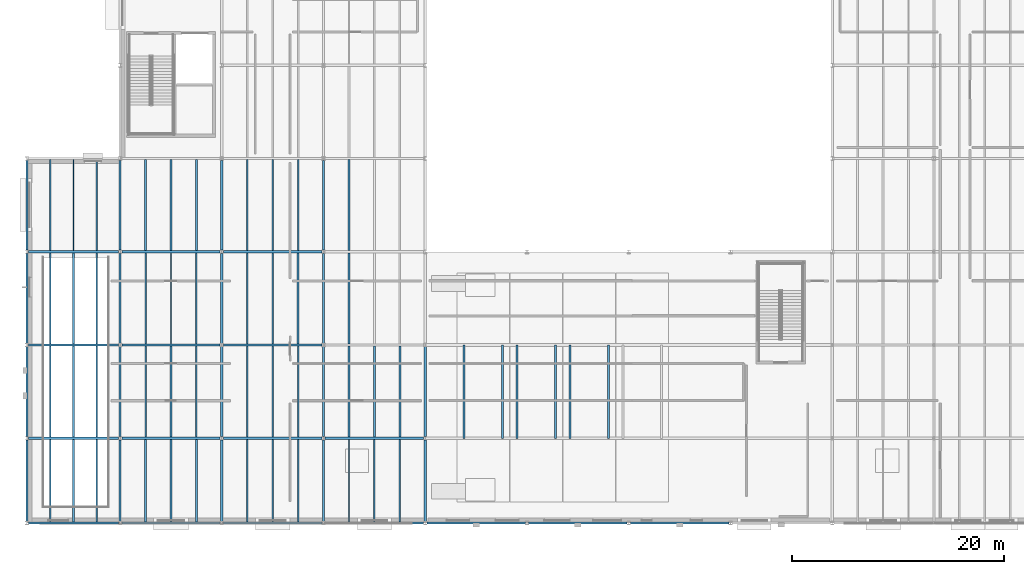
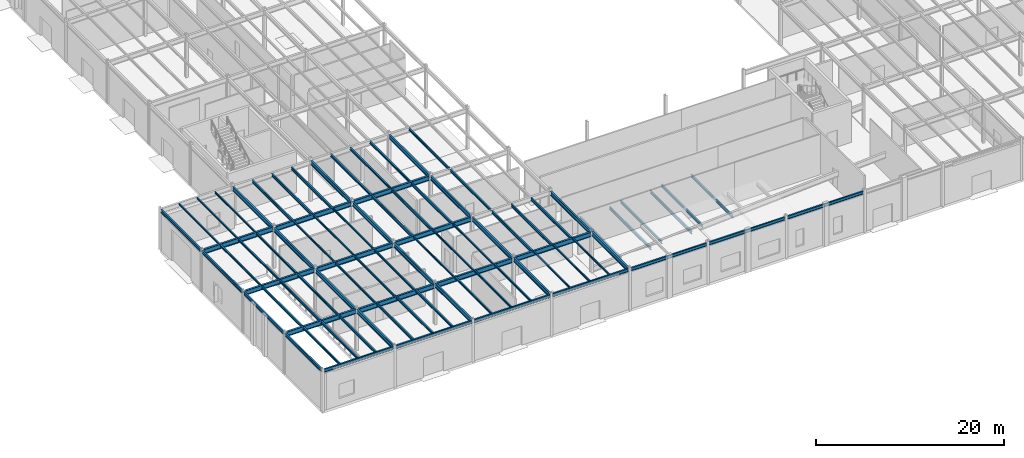
# One storey, part 18 of 70: 85 beams.
"""IFC4 building model written with IfcOpenShell, lengths in metres."""

from ifc_helpers import new_model, si_unit, direction, frame, origin, origin_2d, place, context, subcontext, project, spatial, i_section, extrude, material, material_profile, profile_set, type_object, element, save


model = new_model("IFC4")

# Units and contexts
model_context = context("Model", 3, precision=1e-05, world=origin(), true_north=direction((0.0, 1.0)))
body_context = subcontext(model_context, "Body", "Model", "MODEL_VIEW")
ifc_project = project(units=[si_unit("LENGTHUNIT", "METRE"), si_unit("AREAUNIT", "SQUARE_METRE"), si_unit("VOLUMEUNIT", "CUBIC_METRE"), si_unit("PLANEANGLEUNIT", "RADIAN"), si_unit("MASSUNIT", "GRAM", prefix="KILO")], contexts=[model_context])

# Site, building, storey
site_placement = place(None, origin())
site = spatial("IfcSite", under=ifc_project, at=site_placement, CompositionType="ELEMENT")
building_placement = place(site_placement, origin())
building = spatial("IfcBuilding", under=site, at=building_placement, Name="Sarnbrook Museum", CompositionType="ELEMENT")
storey_placement = place(building_placement, origin())
storey = spatial("IfcBuildingStorey", under=building, at=storey_placement, Name="L00", CompositionType="ELEMENT", Elevation=0.0)

# Beams
ifc_material = material(Name="Structural Steel Grade 300PLUS (AS/NZS 3679.1, fy = 280 MPa for 17 < t <= 40 mm, 300 MPa for t <= 17 mm)", Category="steel")
ifc_material_profile_1 = material_profile(ifc_material, i_section(OverallWidth=0.208984375, OverallDepth=0.532958984375, WebThickness=0.01025390625, FlangeThickness=0.015625, FilletRadius=0.013916015625, at=origin_2d()), Name="530UB92.4")
ifc_profile_set_1 = profile_set([ifc_material_profile_1], Name="Structural Steel Grade 300PLUS (AS/NZS 3679.1, fy = 280 MPa for 17 < t <= 40 mm, 300 MPa for t <= 17 mm)")
beam_type_1 = type_object("IfcBeamType", Name="BM-UB530", PredefinedType="BEAM", material=ifc_profile_set_1)
beam_1_placement = place(storey_placement, frame((13.60009765625, 4.95751953125, 5.12353515625), z_axis=(0.0, 1.0, 0.0), x_axis=(-1.0, 0.0, 0.0)))
element("IfcBeam", 1, at=beam_1_placement, inside=storey, type_object=beam_type_1, Name="Girder 2:A-B L00", PredefinedType="BEAM", context=body_context, shape_type="SweptSolid", body=[
    extrude(i_section(OverallWidth=0.208984375, OverallDepth=0.532958984375, WebThickness=0.01025390625, FlangeThickness=0.015625, FilletRadius=0.013916015625, at=origin_2d()), origin(), (0.0, 0.0, 1.0), 7.68505859375),
])
for number, where, z_axis, x_axis, name in (
    (2, (13.60009765625, 12.95751953125, 5.013427734375), (0.0, 1.0, 0.0), (-1.0, 0.0, 0.0), "Girder 2:B-C L00"),
    (3, (13.60009765625, 21.757568359375, 5.013427734375), (0.0, 1.0, 0.0), (-1.0, 0.0, 0.0), "Girder 2:C-D L00"),
):
    element("IfcBeam", number, at=place(storey_placement, frame(where, z_axis=z_axis, x_axis=x_axis)), inside=storey, type_object=beam_type_1, Name=name, PredefinedType="BEAM", context=body_context, shape_type="SweptSolid", body=[
        extrude(i_section(OverallWidth=0.208984375, OverallDepth=0.532958984375, WebThickness=0.01025390625, FlangeThickness=0.015625, FilletRadius=0.013916015625, at=origin_2d()), origin(), (0.0, 0.0, 1.0), 8.48486328125),
    ])
beam_2_placement = place(storey_placement, frame((13.60009765625, 30.5576171875, 5.013427734375), z_axis=(0.0, 1.0, 0.0), x_axis=(-1.0, 0.0, 0.0)))
element("IfcBeam", 4, at=beam_2_placement, inside=storey, type_object=beam_type_1, Name="Girder 2:D-E L00", PredefinedType="BEAM", context=body_context, shape_type="SweptSolid", body=[
    extrude(i_section(OverallWidth=0.208984375, OverallDepth=0.532958984375, WebThickness=0.01025390625, FlangeThickness=0.015625, FilletRadius=0.013916015625, at=origin_2d()), origin(), (0.0, 0.0, 1.0), 8.47900390625),
])
beam_3_placement = place(storey_placement, frame((23.199951171875, 4.95751953125, 5.12353515625), z_axis=(0.0, 1.0, 0.0), x_axis=(-1.0, 0.0, 0.0)))
element("IfcBeam", 5, at=beam_3_placement, inside=storey, type_object=beam_type_1, Name="Girder 3:A-B L00", PredefinedType="BEAM", context=body_context, shape_type="SweptSolid", body=[
    extrude(i_section(OverallWidth=0.208984375, OverallDepth=0.532958984375, WebThickness=0.01025390625, FlangeThickness=0.015625, FilletRadius=0.013916015625, at=origin_2d()), origin(), (0.0, 0.0, 1.0), 7.68505859375),
])
for number, where, z_axis, x_axis, name in (
    (6, (23.199951171875, 12.95751953125, 5.013427734375), (0.0, 1.0, 0.0), (-1.0, 0.0, 0.0), "Girder 3:B-C L00"),
    (7, (23.199951171875, 21.757568359375, 5.013427734375), (0.0, 1.0, 0.0), (-1.0, 0.0, 0.0), "Girder 3:C-D L00"),
):
    element("IfcBeam", number, at=place(storey_placement, frame(where, z_axis=z_axis, x_axis=x_axis)), inside=storey, type_object=beam_type_1, Name=name, PredefinedType="BEAM", context=body_context, shape_type="SweptSolid", body=[
        extrude(i_section(OverallWidth=0.208984375, OverallDepth=0.532958984375, WebThickness=0.01025390625, FlangeThickness=0.015625, FilletRadius=0.013916015625, at=origin_2d()), origin(), (0.0, 0.0, 1.0), 8.48486328125),
    ])
beam_4_placement = place(storey_placement, frame((23.199951171875, 30.5576171875, 5.013427734375), z_axis=(0.0, 1.0, 0.0), x_axis=(-1.0, 0.0, 0.0)))
element("IfcBeam", 8, at=beam_4_placement, inside=storey, type_object=beam_type_1, Name="Girder 3:D-E L00", PredefinedType="BEAM", context=body_context, shape_type="SweptSolid", body=[
    extrude(i_section(OverallWidth=0.208984375, OverallDepth=0.532958984375, WebThickness=0.01025390625, FlangeThickness=0.015625, FilletRadius=0.013916015625, at=origin_2d()), origin(), (0.0, 0.0, 1.0), 8.47900390625),
])
beam_5_placement = place(storey_placement, frame((32.800048828125, 4.95751953125, 5.12353515625), z_axis=(0.0, 1.0, 0.0), x_axis=(-1.0, 0.0, 0.0)))
element("IfcBeam", 9, at=beam_5_placement, inside=storey, type_object=beam_type_1, Name="Girder 4:A-B L00", PredefinedType="BEAM", context=body_context, shape_type="SweptSolid", body=[
    extrude(i_section(OverallWidth=0.208984375, OverallDepth=0.532958984375, WebThickness=0.01025390625, FlangeThickness=0.015625, FilletRadius=0.013916015625, at=origin_2d()), origin(), (0.0, 0.0, 1.0), 7.68505859375),
])
for number, where, z_axis, x_axis, name in (
    (10, (32.800048828125, 12.95751953125, 5.013427734375), (0.0, 1.0, 0.0), (-1.0, 0.0, 0.0), "Girder 4:B-C L00"),
    (11, (32.800048828125, 21.757568359375, 5.013427734375), (0.0, 1.0, 0.0), (-1.0, 0.0, 0.0), "Girder 4:C-D L00"),
):
    element("IfcBeam", number, at=place(storey_placement, frame(where, z_axis=z_axis, x_axis=x_axis)), inside=storey, type_object=beam_type_1, Name=name, PredefinedType="BEAM", context=body_context, shape_type="SweptSolid", body=[
        extrude(i_section(OverallWidth=0.208984375, OverallDepth=0.532958984375, WebThickness=0.01025390625, FlangeThickness=0.015625, FilletRadius=0.013916015625, at=origin_2d()), origin(), (0.0, 0.0, 1.0), 8.48486328125),
    ])
beam_6_placement = place(storey_placement, frame((32.800048828125, 30.5576171875, 5.013427734375), z_axis=(0.0, 1.0, 0.0), x_axis=(-1.0, 0.0, 0.0)))
element("IfcBeam", 12, at=beam_6_placement, inside=storey, type_object=beam_type_1, Name="Girder 4:D-E L00", PredefinedType="BEAM", context=body_context, shape_type="SweptSolid", body=[
    extrude(i_section(OverallWidth=0.208984375, OverallDepth=0.532958984375, WebThickness=0.01025390625, FlangeThickness=0.015625, FilletRadius=0.013916015625, at=origin_2d()), origin(), (0.0, 0.0, 1.0), 8.47900390625),
])
beam_7_placement = place(storey_placement, frame((42.39990234375, 4.96337890625, 5.08349609375), z_axis=(0.0, 1.0, 0.0), x_axis=(-1.0, 0.0, 0.0)))
element("IfcBeam", 13, at=beam_7_placement, inside=storey, type_object=beam_type_1, Name="Girder 5:A-B L00", PredefinedType="BEAM", context=body_context, shape_type="SweptSolid", body=[
    extrude(i_section(OverallWidth=0.208984375, OverallDepth=0.532958984375, WebThickness=0.01025390625, FlangeThickness=0.015625, FilletRadius=0.013916015625, at=origin_2d()), origin(), (0.0, 0.0, 1.0), 7.67919921875),
])
beam_8_placement = place(storey_placement, frame((42.39990234375, 12.95751953125, 5.013427734375), z_axis=(0.0, 1.0, 0.0), x_axis=(-1.0, 0.0, 0.0)))
element("IfcBeam", 14, at=beam_8_placement, inside=storey, type_object=beam_type_1, Name="Girder 5:B-C L00", PredefinedType="BEAM", context=body_context, shape_type="SweptSolid", body=[
    extrude(i_section(OverallWidth=0.208984375, OverallDepth=0.532958984375, WebThickness=0.01025390625, FlangeThickness=0.015625, FilletRadius=0.013916015625, at=origin_2d()), origin(), (0.0, 0.0, 1.0), 8.48486328125),
])
ifc_material_profile_2 = material_profile(ifc_material, i_section(OverallWidth=0.22900390625, OverallDepth=0.612060546875, WebThickness=0.011962890625, FlangeThickness=0.01953125, FilletRadius=0.013916015625, at=origin_2d()), Name="610UB125")
ifc_profile_set_2 = profile_set([ifc_material_profile_2], Name="Structural Steel Grade 300PLUS (AS/NZS 3679.1, fy = 280 MPa for 17 < t <= 40 mm, 300 MPa for t <= 17 mm)")
beam_type_2 = type_object("IfcBeamType", Name="BM-UB610H", PredefinedType="BEAM", material=ifc_profile_set_2)
beam_9_placement = place(storey_placement, frame((4.95361328125, 12.800048828125, 5.083984375), z_axis=(1.0, 0.0, 0.0), x_axis=(0.0, 1.0, 0.0)))
element("IfcBeam", 15, at=beam_9_placement, inside=storey, type_object=beam_type_2, Name="Girder B:1-2 L00", PredefinedType="BEAM", context=body_context, shape_type="SweptSolid", body=[
    extrude(i_section(OverallWidth=0.22900390625, OverallDepth=0.612060546875, WebThickness=0.011962890625, FlangeThickness=0.01953125, FilletRadius=0.013916015625, at=origin_2d()), origin(), (0.0, 0.0, 1.0), 8.492919921875),
])
for number, where, z_axis, x_axis, name in (
    (16, (13.75341796875, 12.800048828125, 4.97412109375), (1.0, 0.0, 0.0), (0.0, 1.0, 0.0), "Girder B:2-3 L00"),
    (17, (23.353515625, 12.800048828125, 4.97412109375), (1.0, 0.0, 0.0), (0.0, 1.0, 0.0), "Girder B:3-4 L00"),
    (18, (32.95361328125, 12.800048828125, 4.97412109375), (1.0, 0.0, 0.0), (0.0, 1.0, 0.0), "Girder B:4-5 L00"),
):
    element("IfcBeam", number, at=place(storey_placement, frame(where, z_axis=z_axis, x_axis=x_axis)), inside=storey, type_object=beam_type_2, Name=name, PredefinedType="BEAM", context=body_context, shape_type="SweptSolid", body=[
        extrude(i_section(OverallWidth=0.22900390625, OverallDepth=0.612060546875, WebThickness=0.011962890625, FlangeThickness=0.01953125, FilletRadius=0.013916015625, at=origin_2d()), origin(), (0.0, 0.0, 1.0), 9.29296875),
    ])
beam_10_placement = place(storey_placement, frame((4.95361328125, 21.60009765625, 5.083984375), z_axis=(1.0, 0.0, 0.0), x_axis=(0.0, 1.0, 0.0)))
element("IfcBeam", 19, at=beam_10_placement, inside=storey, type_object=beam_type_2, Name="Girder C:1-2 L00", PredefinedType="BEAM", context=body_context, shape_type="SweptSolid", body=[
    extrude(i_section(OverallWidth=0.22900390625, OverallDepth=0.612060546875, WebThickness=0.011962890625, FlangeThickness=0.01953125, FilletRadius=0.013916015625, at=origin_2d()), origin(), (0.0, 0.0, 1.0), 8.492919921875),
])
for number, where, z_axis, x_axis, name in (
    (20, (13.75341796875, 21.60009765625, 4.97412109375), (1.0, 0.0, 0.0), (0.0, 1.0, 0.0), "Girder C:2-3 L00"),
    (21, (23.353515625, 21.60009765625, 4.97412109375), (1.0, 0.0, 0.0), (0.0, 1.0, 0.0), "Girder C:3-4 L00"),
):
    element("IfcBeam", number, at=place(storey_placement, frame(where, z_axis=z_axis, x_axis=x_axis)), inside=storey, type_object=beam_type_2, Name=name, PredefinedType="BEAM", context=body_context, shape_type="SweptSolid", body=[
        extrude(i_section(OverallWidth=0.22900390625, OverallDepth=0.612060546875, WebThickness=0.011962890625, FlangeThickness=0.01953125, FilletRadius=0.013916015625, at=origin_2d()), origin(), (0.0, 0.0, 1.0), 9.29296875),
    ])
beam_11_placement = place(storey_placement, frame((4.95361328125, 30.39990234375, 5.083984375), z_axis=(1.0, 0.0, 0.0), x_axis=(0.0, 1.0, 0.0)))
element("IfcBeam", 22, at=beam_11_placement, inside=storey, type_object=beam_type_2, Name="Girder D:1-2 L00", PredefinedType="BEAM", context=body_context, shape_type="SweptSolid", body=[
    extrude(i_section(OverallWidth=0.22900390625, OverallDepth=0.612060546875, WebThickness=0.011962890625, FlangeThickness=0.01953125, FilletRadius=0.013916015625, at=origin_2d()), origin(), (0.0, 0.0, 1.0), 8.492919921875),
])
for number, where, z_axis, x_axis, name in (
    (23, (13.75341796875, 30.39990234375, 4.97412109375), (1.0, 0.0, 0.0), (0.0, 1.0, 0.0), "Girder D:2-3 L00"),
    (24, (23.353515625, 30.39990234375, 4.97412109375), (1.0, 0.0, 0.0), (0.0, 1.0, 0.0), "Girder D:3-4 L00"),
):
    element("IfcBeam", number, at=place(storey_placement, frame(where, z_axis=z_axis, x_axis=x_axis)), inside=storey, type_object=beam_type_2, Name=name, PredefinedType="BEAM", context=body_context, shape_type="SweptSolid", body=[
        extrude(i_section(OverallWidth=0.22900390625, OverallDepth=0.612060546875, WebThickness=0.011962890625, FlangeThickness=0.01953125, FilletRadius=0.013916015625, at=origin_2d()), origin(), (0.0, 0.0, 1.0), 9.29296875),
    ])
ifc_material_profile_3 = material_profile(ifc_material, i_section(OverallWidth=0.134033203125, OverallDepth=0.20703125, WebThickness=0.00634765625, FlangeThickness=0.009521484375, FilletRadius=0.0087890625, at=origin_2d()), Name="200UB29.8")
ifc_profile_set_3 = profile_set([ifc_material_profile_3], Name="Structural Steel Grade 300PLUS (AS/NZS 3679.1, fy = 280 MPa for 17 < t <= 40 mm, 300 MPa for t <= 17 mm)")
beam_type_3 = type_object("IfcBeamType", Name="JS-UB200", PredefinedType="JOIST", material=ifc_profile_set_3)
for number, where, z_axis, x_axis, name in (
    (25, (7.0, 30.514404296875, 5.28662109375), (0.0, 1.0, 0.0), (-1.0, 0.0, 0.0), "Composite Floor Joist 1D-1 L00"),
    (26, (9.199951171875, 30.514404296875, 5.28662109375), (0.0, 1.0, 0.0), (-1.0, 0.0, 0.0), "Composite Floor Joist 1D-2 L00"),
    (27, (11.39990234375, 30.514404296875, 5.28662109375), (0.0, 1.0, 0.0), (-1.0, 0.0, 0.0), "Composite Floor Joist 1D-3 L00"),
):
    element("IfcBeam", number, at=place(storey_placement, frame(where, z_axis=z_axis, x_axis=x_axis)), inside=storey, type_object=beam_type_3, Name=name, PredefinedType="JOIST", context=body_context, shape_type="SweptSolid", body=[
        extrude(i_section(OverallWidth=0.134033203125, OverallDepth=0.20703125, WebThickness=0.00634765625, FlangeThickness=0.009521484375, FilletRadius=0.0087890625, at=origin_2d()), origin(), (0.0, 0.0, 1.0), 8.571044921875),
    ])
for number, where, z_axis, x_axis, name in (
    (28, (16.0, 21.714599609375, 5.176513671875), (0.0, 1.0, 0.0), (-1.0, 0.0, 0.0), "Composite Floor Joist 2C-1 L00"),
    (29, (18.39990234375, 21.714599609375, 5.176513671875), (0.0, 1.0, 0.0), (-1.0, 0.0, 0.0), "Composite Floor Joist 2C-2 L00"),
    (30, (20.800048828125, 21.714599609375, 5.176513671875), (0.0, 1.0, 0.0), (-1.0, 0.0, 0.0), "Composite Floor Joist 2C-3 L00"),
):
    element("IfcBeam", number, at=place(storey_placement, frame(where, z_axis=z_axis, x_axis=x_axis)), inside=storey, type_object=beam_type_3, Name=name, PredefinedType="JOIST", context=body_context, shape_type="SweptSolid", body=[
        extrude(i_section(OverallWidth=0.134033203125, OverallDepth=0.20703125, WebThickness=0.00634765625, FlangeThickness=0.009521484375, FilletRadius=0.0087890625, at=origin_2d()), origin(), (0.0, 0.0, 1.0), 8.57080078125),
    ])
for number, where, z_axis, x_axis, name in (
    (31, (25.60009765625, 12.91455078125, 5.176513671875), (0.0, 1.0, 0.0), (-1.0, 0.0, 0.0), "Composite Floor Joist 3B-1 L00"),
    (32, (28.0, 12.91455078125, 5.176513671875), (0.0, 1.0, 0.0), (-1.0, 0.0, 0.0), "Composite Floor Joist 3B-2 L00"),
    (33, (30.39990234375, 12.91455078125, 5.176513671875), (0.0, 1.0, 0.0), (-1.0, 0.0, 0.0), "Composite Floor Joist 3B-3 L00"),
):
    element("IfcBeam", number, at=place(storey_placement, frame(where, z_axis=z_axis, x_axis=x_axis)), inside=storey, type_object=beam_type_3, Name=name, PredefinedType="JOIST", context=body_context, shape_type="SweptSolid", body=[
        extrude(i_section(OverallWidth=0.134033203125, OverallDepth=0.20703125, WebThickness=0.00634765625, FlangeThickness=0.009521484375, FilletRadius=0.0087890625, at=origin_2d()), origin(), (0.0, 0.0, 1.0), 8.571044921875),
    ])
for number, where, z_axis, x_axis, name in (
    (34, (35.199951171875, 4.888916015625, 5.28662109375), (0.0, 1.0, 0.0), (-1.0, 0.0, 0.0), "Composite Floor Joist 4A-1 L00"),
    (35, (37.60009765625, 4.888916015625, 5.28662109375), (0.0, 1.0, 0.0), (-1.0, 0.0, 0.0), "Composite Floor Joist 4A-2 L00"),
    (36, (40.0, 4.888916015625, 5.28662109375), (0.0, 1.0, 0.0), (-1.0, 0.0, 0.0), "Composite Floor Joist 4A-3 L00"),
):
    element("IfcBeam", number, at=place(storey_placement, frame(where, z_axis=z_axis, x_axis=x_axis)), inside=storey, type_object=beam_type_3, Name=name, PredefinedType="JOIST", context=body_context, shape_type="SweptSolid", body=[
        extrude(i_section(OverallWidth=0.134033203125, OverallDepth=0.20703125, WebThickness=0.00634765625, FlangeThickness=0.009521484375, FilletRadius=0.0087890625, at=origin_2d()), origin(), (0.0, 0.0, 1.0), 7.796630859375),
    ])
ifc_material_profile_4 = material_profile(ifc_material, i_section(OverallWidth=0.14599609375, OverallDepth=0.256103515625, WebThickness=0.00634765625, FlangeThickness=0.010986328125, FilletRadius=0.0087890625, at=origin_2d()), Name="250UB37.3")
ifc_profile_set_4 = profile_set([ifc_material_profile_4], Name="Structural Steel Grade 300PLUS (AS/NZS 3679.1, fy = 280 MPa for 17 < t <= 40 mm, 300 MPa for t <= 17 mm)")
beam_type_4 = type_object("IfcBeamType", Name="JS-UB250", PredefinedType="JOIST", material=ifc_profile_set_4)
for number, where, z_axis, x_axis, name in (
    (37, (7.0, 21.714599609375, 5.261962890625), (0.0, 1.0, 0.0), (-1.0, 0.0, 0.0), "Composite Floor Joist 1C-1 L00"),
    (38, (9.199951171875, 21.714599609375, 5.261962890625), (0.0, 1.0, 0.0), (-1.0, 0.0, 0.0), "Composite Floor Joist 1C-2 L00"),
    (39, (11.39990234375, 21.714599609375, 5.261962890625), (0.0, 1.0, 0.0), (-1.0, 0.0, 0.0), "Composite Floor Joist 1C-3 L00"),
):
    element("IfcBeam", number, at=place(storey_placement, frame(where, z_axis=z_axis, x_axis=x_axis)), inside=storey, type_object=beam_type_4, Name=name, PredefinedType="JOIST", context=body_context, shape_type="SweptSolid", body=[
        extrude(i_section(OverallWidth=0.14599609375, OverallDepth=0.256103515625, WebThickness=0.00634765625, FlangeThickness=0.010986328125, FilletRadius=0.0087890625, at=origin_2d()), origin(), (0.0, 0.0, 1.0), 8.57080078125),
    ])
for number, where, z_axis, x_axis, name in (
    (40, (16.0, 12.91455078125, 5.152099609375), (0.0, 1.0, 0.0), (-1.0, 0.0, 0.0), "Composite Floor Joist 2B-1 L00"),
    (41, (18.39990234375, 12.91455078125, 5.152099609375), (0.0, 1.0, 0.0), (-1.0, 0.0, 0.0), "Composite Floor Joist 2B-2 L00"),
    (42, (20.800048828125, 12.91455078125, 5.152099609375), (0.0, 1.0, 0.0), (-1.0, 0.0, 0.0), "Composite Floor Joist 2B-3 L00"),
):
    element("IfcBeam", number, at=place(storey_placement, frame(where, z_axis=z_axis, x_axis=x_axis)), inside=storey, type_object=beam_type_4, Name=name, PredefinedType="JOIST", context=body_context, shape_type="SweptSolid", body=[
        extrude(i_section(OverallWidth=0.14599609375, OverallDepth=0.256103515625, WebThickness=0.00634765625, FlangeThickness=0.010986328125, FilletRadius=0.0087890625, at=origin_2d()), origin(), (0.0, 0.0, 1.0), 8.571044921875),
    ])
for number, where, z_axis, x_axis, name in (
    (43, (25.60009765625, 4.888916015625, 5.261962890625), (0.0, 1.0, 0.0), (-1.0, 0.0, 0.0), "Composite Floor Joist 3A-1 L00"),
    (44, (28.0, 4.888916015625, 5.261962890625), (0.0, 1.0, 0.0), (-1.0, 0.0, 0.0), "Composite Floor Joist 3A-2 L00"),
    (45, (30.39990234375, 4.888916015625, 5.261962890625), (0.0, 1.0, 0.0), (-1.0, 0.0, 0.0), "Composite Floor Joist 3A-3 L00"),
):
    element("IfcBeam", number, at=place(storey_placement, frame(where, z_axis=z_axis, x_axis=x_axis)), inside=storey, type_object=beam_type_4, Name=name, PredefinedType="JOIST", context=body_context, shape_type="SweptSolid", body=[
        extrude(i_section(OverallWidth=0.14599609375, OverallDepth=0.256103515625, WebThickness=0.00634765625, FlangeThickness=0.010986328125, FilletRadius=0.0087890625, at=origin_2d()), origin(), (0.0, 0.0, 1.0), 7.796630859375),
    ])
ifc_material_profile_5 = material_profile(ifc_material, i_section(OverallWidth=0.1650390625, OverallDepth=0.303955078125, WebThickness=0.006103515625, FlangeThickness=0.01025390625, FilletRadius=0.011474609375, at=origin_2d()), Name="310UB40.4")
ifc_profile_set_5 = profile_set([ifc_material_profile_5], Name="Structural Steel Grade 300PLUS (AS/NZS 3679.1, fy = 280 MPa for 17 < t <= 40 mm, 300 MPa for t <= 17 mm)")
beam_type_5 = type_object("IfcBeamType", Name="JS-UB310", PredefinedType="JOIST", material=ifc_profile_set_5)
for number, where, z_axis, x_axis, name in (
    (46, (7.0, 12.91455078125, 5.238037109375), (0.0, 1.0, 0.0), (-1.0, 0.0, 0.0), "Composite Floor Joist 1B-1 L00"),
    (47, (9.199951171875, 12.91455078125, 5.238037109375), (0.0, 1.0, 0.0), (-1.0, 0.0, 0.0), "Composite Floor Joist 1B-2 L00"),
    (48, (11.39990234375, 12.91455078125, 5.238037109375), (0.0, 1.0, 0.0), (-1.0, 0.0, 0.0), "Composite Floor Joist 1B-3 L00"),
):
    element("IfcBeam", number, at=place(storey_placement, frame(where, z_axis=z_axis, x_axis=x_axis)), inside=storey, type_object=beam_type_5, Name=name, PredefinedType="JOIST", context=body_context, shape_type="SweptSolid", body=[
        extrude(i_section(OverallWidth=0.1650390625, OverallDepth=0.303955078125, WebThickness=0.006103515625, FlangeThickness=0.01025390625, FilletRadius=0.011474609375, at=origin_2d()), origin(), (0.0, 0.0, 1.0), 8.571044921875),
    ])
for number, where, z_axis, x_axis, name in (
    (49, (16.0, 4.888916015625, 5.238037109375), (0.0, 1.0, 0.0), (-1.0, 0.0, 0.0), "Composite Floor Joist 2A-1 L00"),
    (50, (18.39990234375, 4.888916015625, 5.238037109375), (0.0, 1.0, 0.0), (-1.0, 0.0, 0.0), "Composite Floor Joist 2A-2 L00"),
    (51, (20.800048828125, 4.888916015625, 5.238037109375), (0.0, 1.0, 0.0), (-1.0, 0.0, 0.0), "Composite Floor Joist 2A-3 L00"),
):
    element("IfcBeam", number, at=place(storey_placement, frame(where, z_axis=z_axis, x_axis=x_axis)), inside=storey, type_object=beam_type_5, Name=name, PredefinedType="JOIST", context=body_context, shape_type="SweptSolid", body=[
        extrude(i_section(OverallWidth=0.1650390625, OverallDepth=0.303955078125, WebThickness=0.006103515625, FlangeThickness=0.01025390625, FilletRadius=0.011474609375, at=origin_2d()), origin(), (0.0, 0.0, 1.0), 7.796630859375),
    ])
beam_12_placement = place(storey_placement, frame((35.199951171875, 30.514404296875, 5.1279296875), z_axis=(0.0, 1.0, 0.0), x_axis=(-1.0, 0.0, 0.0)))
element("IfcBeam", 52, at=beam_12_placement, inside=storey, type_object=beam_type_5, Name="Composite Floor Joist 4D-1 L00", PredefinedType="JOIST", context=body_context, shape_type="SweptSolid", body=[
    extrude(i_section(OverallWidth=0.1650390625, OverallDepth=0.303955078125, WebThickness=0.006103515625, FlangeThickness=0.01025390625, FilletRadius=0.011474609375, at=origin_2d()), origin(), (0.0, 0.0, 1.0), 8.571044921875),
])
ifc_material_profile_6 = material_profile(ifc_material, i_section(OverallWidth=0.166015625, OverallDepth=0.306884765625, WebThickness=0.006591796875, FlangeThickness=0.01171875, FilletRadius=0.011474609375, at=origin_2d()), Name="310UB46.2")
ifc_profile_set_6 = profile_set([ifc_material_profile_6], Name="Structural Steel Grade 300PLUS (AS/NZS 3679.1, fy = 280 MPa for 17 < t <= 40 mm, 300 MPa for t <= 17 mm)")
beam_type_6 = type_object("IfcBeamType", Name="JS-UB310H", PredefinedType="JOIST", material=ifc_profile_set_6)
for number, where, z_axis, x_axis, name in (
    (53, (7.0, 4.888916015625, 5.236572265625), (0.0, 1.0, 0.0), (-1.0, 0.0, 0.0), "Composite Floor Joist 1A-1 L00"),
    (54, (9.199951171875, 4.888916015625, 5.236572265625), (0.0, 1.0, 0.0), (-1.0, 0.0, 0.0), "Composite Floor Joist 1A-2 L00"),
    (55, (11.39990234375, 4.888916015625, 5.236572265625), (0.0, 1.0, 0.0), (-1.0, 0.0, 0.0), "Composite Floor Joist 1A-3 L00"),
):
    element("IfcBeam", number, at=place(storey_placement, frame(where, z_axis=z_axis, x_axis=x_axis)), inside=storey, type_object=beam_type_6, Name=name, PredefinedType="JOIST", context=body_context, shape_type="SweptSolid", body=[
        extrude(i_section(OverallWidth=0.166015625, OverallDepth=0.306884765625, WebThickness=0.006591796875, FlangeThickness=0.01171875, FilletRadius=0.011474609375, at=origin_2d()), origin(), (0.0, 0.0, 1.0), 7.796630859375),
    ])
for number, where, z_axis, x_axis, name in (
    (56, (25.60009765625, 30.514404296875, 5.12646484375), (0.0, 1.0, 0.0), (-1.0, 0.0, 0.0), "Composite Floor Joist 3D-1 L00"),
    (57, (28.0, 30.514404296875, 5.12646484375), (0.0, 1.0, 0.0), (-1.0, 0.0, 0.0), "Composite Floor Joist 3D-2 L00"),
    (58, (30.39990234375, 30.514404296875, 5.12646484375), (0.0, 1.0, 0.0), (-1.0, 0.0, 0.0), "Composite Floor Joist 3D-3 L00"),
):
    element("IfcBeam", number, at=place(storey_placement, frame(where, z_axis=z_axis, x_axis=x_axis)), inside=storey, type_object=beam_type_6, Name=name, PredefinedType="JOIST", context=body_context, shape_type="SweptSolid", body=[
        extrude(i_section(OverallWidth=0.166015625, OverallDepth=0.306884765625, WebThickness=0.006591796875, FlangeThickness=0.01171875, FilletRadius=0.011474609375, at=origin_2d()), origin(), (0.0, 0.0, 1.0), 8.571044921875),
    ])
beam_13_placement = place(storey_placement, frame((35.199951171875, 21.714599609375, 5.12646484375), z_axis=(0.0, 1.0, 0.0), x_axis=(-1.0, 0.0, 0.0)))
element("IfcBeam", 59, at=beam_13_placement, inside=storey, type_object=beam_type_6, Name="Composite Floor Joist 4C-1 L00", PredefinedType="JOIST", context=body_context, shape_type="SweptSolid", body=[
    extrude(i_section(OverallWidth=0.166015625, OverallDepth=0.306884765625, WebThickness=0.006591796875, FlangeThickness=0.01171875, FilletRadius=0.011474609375, at=origin_2d()), origin(), (0.0, 0.0, 1.0), 8.57080078125),
])
ifc_material_profile_7 = material_profile(ifc_material, i_section(OverallWidth=0.1708984375, OverallDepth=0.35595703125, WebThickness=0.00732421875, FlangeThickness=0.011474609375, FilletRadius=0.011474609375, at=origin_2d()), Name="360UB50.7")
ifc_profile_set_7 = profile_set([ifc_material_profile_7], Name="Structural Steel Grade 300PLUS (AS/NZS 3679.1, fy = 280 MPa for 17 < t <= 40 mm, 300 MPa for t <= 17 mm)")
beam_type_7 = type_object("IfcBeamType", Name="JS-UB360", PredefinedType="JOIST", material=ifc_profile_set_7)
for number, where, z_axis, x_axis, name in (
    (60, (16.0, 30.514404296875, 5.10205078125), (0.0, 1.0, 0.0), (-1.0, 0.0, 0.0), "Composite Floor Joist 2D-1 L00"),
    (61, (18.39990234375, 30.514404296875, 5.10205078125), (0.0, 1.0, 0.0), (-1.0, 0.0, 0.0), "Composite Floor Joist 2D-2 L00"),
    (62, (20.800048828125, 30.514404296875, 5.10205078125), (0.0, 1.0, 0.0), (-1.0, 0.0, 0.0), "Composite Floor Joist 2D-3 L00"),
):
    element("IfcBeam", number, at=place(storey_placement, frame(where, z_axis=z_axis, x_axis=x_axis)), inside=storey, type_object=beam_type_7, Name=name, PredefinedType="JOIST", context=body_context, shape_type="SweptSolid", body=[
        extrude(i_section(OverallWidth=0.1708984375, OverallDepth=0.35595703125, WebThickness=0.00732421875, FlangeThickness=0.011474609375, FilletRadius=0.011474609375, at=origin_2d()), origin(), (0.0, 0.0, 1.0), 8.571044921875),
    ])
for number, where, z_axis, x_axis, name in (
    (63, (25.60009765625, 21.714599609375, 5.10205078125), (0.0, 1.0, 0.0), (-1.0, 0.0, 0.0), "Composite Floor Joist 3C-1 L00"),
    (64, (28.0, 21.714599609375, 5.10205078125), (0.0, 1.0, 0.0), (-1.0, 0.0, 0.0), "Composite Floor Joist 3C-2 L00"),
    (65, (30.39990234375, 21.714599609375, 5.10205078125), (0.0, 1.0, 0.0), (-1.0, 0.0, 0.0), "Composite Floor Joist 3C-3 L00"),
):
    element("IfcBeam", number, at=place(storey_placement, frame(where, z_axis=z_axis, x_axis=x_axis)), inside=storey, type_object=beam_type_7, Name=name, PredefinedType="JOIST", context=body_context, shape_type="SweptSolid", body=[
        extrude(i_section(OverallWidth=0.1708984375, OverallDepth=0.35595703125, WebThickness=0.00732421875, FlangeThickness=0.011474609375, FilletRadius=0.011474609375, at=origin_2d()), origin(), (0.0, 0.0, 1.0), 8.57080078125),
    ])
for number, where, z_axis, x_axis, name in (
    (66, (35.199951171875, 12.91455078125, 5.10205078125), (0.0, 1.0, 0.0), (-1.0, 0.0, 0.0), "Composite Floor Joist 4B-1 L00"),
    (67, (37.60009765625, 12.91455078125, 5.10205078125), (0.0, 1.0, 0.0), (-1.0, 0.0, 0.0), "Composite Floor Joist 4B-2 L00"),
    (68, (40.0, 12.91455078125, 5.10205078125), (0.0, 1.0, 0.0), (-1.0, 0.0, 0.0), "Composite Floor Joist 4B-3 L00"),
):
    element("IfcBeam", number, at=place(storey_placement, frame(where, z_axis=z_axis, x_axis=x_axis)), inside=storey, type_object=beam_type_7, Name=name, PredefinedType="JOIST", context=body_context, shape_type="SweptSolid", body=[
        extrude(i_section(OverallWidth=0.1708984375, OverallDepth=0.35595703125, WebThickness=0.00732421875, FlangeThickness=0.011474609375, FilletRadius=0.011474609375, at=origin_2d()), origin(), (0.0, 0.0, 1.0), 8.571044921875),
    ])
for number, where, z_axis, x_axis, name in (
    (69, (46.050048828125, 12.800048828125, 0.451904296875), (0.0, 1.0, 0.0), (-1.0, 0.0, 0.0), "Auditorium Stalls Tier Bearer 1-1"),
    (70, (49.699951171875, 12.800048828125, 0.451904296875), (0.0, 1.0, 0.0), (-1.0, 0.0, 0.0), "Auditorium Stalls Tier Bearer 1-2"),
    (71, (51.050048828125, 12.800048828125, 0.7919921875), (0.0, 1.0, 0.0), (-1.0, 0.0, 0.0), "Auditorium Stalls Tier Bearer 2-1"),
    (72, (54.699951171875, 12.800048828125, 0.7919921875), (0.0, 1.0, 0.0), (-1.0, 0.0, 0.0), "Auditorium Stalls Tier Bearer 2-2"),
    (73, (56.050048828125, 12.800048828125, 1.132080078125), (0.0, 1.0, 0.0), (-1.0, 0.0, 0.0), "Auditorium Stalls Tier Bearer 3-1"),
    (74, (59.699951171875, 12.800048828125, 1.132080078125), (0.0, 1.0, 0.0), (-1.0, 0.0, 0.0), "Auditorium Stalls Tier Bearer 3-2"),
):
    element("IfcBeam", number, at=place(storey_placement, frame(where, z_axis=z_axis, x_axis=x_axis)), inside=storey, type_object=beam_type_7, Name=name, PredefinedType="JOIST", context=body_context, shape_type="SweptSolid", body=[
        extrude(i_section(OverallWidth=0.1708984375, OverallDepth=0.35595703125, WebThickness=0.00732421875, FlangeThickness=0.011474609375, FilletRadius=0.011474609375, at=origin_2d()), origin(), (0.0, 0.0, 1.0), 8.800048828125),
    ])
ifc_material_profile_8 = material_profile(ifc_material, i_section(OverallWidth=0.177978515625, OverallDepth=0.406005859375, WebThickness=0.0078125, FlangeThickness=0.0126953125, FilletRadius=0.011474609375, at=origin_2d()), Name="410UB59.7")
ifc_profile_set_8 = profile_set([ifc_material_profile_8], Name="Structural Steel Grade 300PLUS (AS/NZS 3679.1, fy = 280 MPa for 17 < t <= 40 mm, 300 MPa for t <= 17 mm)")
beam_type_8 = type_object("IfcBeamType", Name="SP-UB410", PredefinedType="SPANDREL", material=ifc_profile_set_8)
beam_14_placement = place(storey_placement, frame((4.95361328125, 4.800048828125, 5.18701171875), z_axis=(1.0, 0.0, 0.0), x_axis=(0.0, 1.0, 0.0)))
element("IfcBeam", 75, at=beam_14_placement, inside=storey, type_object=beam_type_8, Name="Girder A:1-2 L00", PredefinedType="SPANDREL", context=body_context, shape_type="SweptSolid", body=[
    extrude(i_section(OverallWidth=0.177978515625, OverallDepth=0.406005859375, WebThickness=0.0078125, FlangeThickness=0.0126953125, FilletRadius=0.011474609375, at=origin_2d()), origin(), (0.0, 0.0, 1.0), 8.492919921875),
])
for number, where, z_axis, x_axis, name in (
    (76, (13.75341796875, 4.800048828125, 5.18701171875), (1.0, 0.0, 0.0), (0.0, 1.0, 0.0), "Girder A:2-3 L00"),
    (77, (23.353515625, 4.800048828125, 5.18701171875), (1.0, 0.0, 0.0), (0.0, 1.0, 0.0), "Girder A:3-4 L00"),
):
    element("IfcBeam", number, at=place(storey_placement, frame(where, z_axis=z_axis, x_axis=x_axis)), inside=storey, type_object=beam_type_8, Name=name, PredefinedType="SPANDREL", context=body_context, shape_type="SweptSolid", body=[
        extrude(i_section(OverallWidth=0.177978515625, OverallDepth=0.406005859375, WebThickness=0.0078125, FlangeThickness=0.0126953125, FilletRadius=0.011474609375, at=origin_2d()), origin(), (0.0, 0.0, 1.0), 9.29296875),
    ])
beam_15_placement = place(storey_placement, frame((32.95361328125, 4.800048828125, 5.18701171875), z_axis=(1.0, 0.0, 0.0), x_axis=(0.0, 1.0, 0.0)))
element("IfcBeam", 78, at=beam_15_placement, inside=storey, type_object=beam_type_8, Name="Girder A:4-5 L00", PredefinedType="SPANDREL", context=body_context, shape_type="SweptSolid", body=[
    extrude(i_section(OverallWidth=0.177978515625, OverallDepth=0.406005859375, WebThickness=0.0078125, FlangeThickness=0.0126953125, FilletRadius=0.011474609375, at=origin_2d()), origin(), (0.0, 0.0, 1.0), 9.290771484375),
])
for number, where, z_axis, x_axis, name in (
    (79, (42.555419921875, 4.800048828125, 5.14697265625), (1.0, 0.0, 0.0), (0.0, 1.0, 0.0), "Girder A:5-6 L00"),
    (80, (52.155517578125, 4.800048828125, 5.14697265625), (1.0, 0.0, 0.0), (0.0, 1.0, 0.0), "Girder A:6-7 L00"),
):
    element("IfcBeam", number, at=place(storey_placement, frame(where, z_axis=z_axis, x_axis=x_axis)), inside=storey, type_object=beam_type_8, Name=name, PredefinedType="SPANDREL", context=body_context, shape_type="SweptSolid", body=[
        extrude(i_section(OverallWidth=0.177978515625, OverallDepth=0.406005859375, WebThickness=0.0078125, FlangeThickness=0.0126953125, FilletRadius=0.011474609375, at=origin_2d()), origin(), (0.0, 0.0, 1.0), 9.2890625),
    ])
beam_16_placement = place(storey_placement, frame((61.755615234375, 4.800048828125, 5.14697265625), z_axis=(1.0, 0.0, 0.0), x_axis=(0.0, 1.0, 0.0)))
element("IfcBeam", 81, at=beam_16_placement, inside=storey, type_object=beam_type_8, Name="Girder A:7-8 L00", PredefinedType="SPANDREL", context=body_context, shape_type="SweptSolid", body=[
    extrude(i_section(OverallWidth=0.177978515625, OverallDepth=0.406005859375, WebThickness=0.0078125, FlangeThickness=0.0126953125, FilletRadius=0.011474609375, at=origin_2d()), origin(), (0.0, 0.0, 1.0), 9.288818359375),
])
beam_17_placement = place(storey_placement, frame((4.800048828125, 4.95751953125, 5.18701171875), z_axis=(0.0, 1.0, 0.0), x_axis=(-1.0, 0.0, 0.0)))
element("IfcBeam", 82, at=beam_17_placement, inside=storey, type_object=beam_type_8, Name="Girder 1:A-B L00", PredefinedType="SPANDREL", context=body_context, shape_type="SweptSolid", body=[
    extrude(i_section(OverallWidth=0.177978515625, OverallDepth=0.406005859375, WebThickness=0.0078125, FlangeThickness=0.0126953125, FilletRadius=0.011474609375, at=origin_2d()), origin(), (0.0, 0.0, 1.0), 7.68505859375),
])
for number, where, z_axis, x_axis, name in (
    (83, (4.800048828125, 12.95751953125, 5.18701171875), (0.0, 1.0, 0.0), (-1.0, 0.0, 0.0), "Girder 1:B-C L00"),
    (84, (4.800048828125, 21.757568359375, 5.18701171875), (0.0, 1.0, 0.0), (-1.0, 0.0, 0.0), "Girder 1:C-D L00"),
    (85, (4.800048828125, 30.5576171875, 5.18701171875), (0.0, 1.0, 0.0), (-1.0, 0.0, 0.0), "Girder 1:D-E L00"),
):
    element("IfcBeam", number, at=place(storey_placement, frame(where, z_axis=z_axis, x_axis=x_axis)), inside=storey, type_object=beam_type_8, Name=name, PredefinedType="SPANDREL", context=body_context, shape_type="SweptSolid", body=[
        extrude(i_section(OverallWidth=0.177978515625, OverallDepth=0.406005859375, WebThickness=0.0078125, FlangeThickness=0.0126953125, FilletRadius=0.011474609375, at=origin_2d()), origin(), (0.0, 0.0, 1.0), 8.48486328125),
    ])

save(model, "model.ifc")
